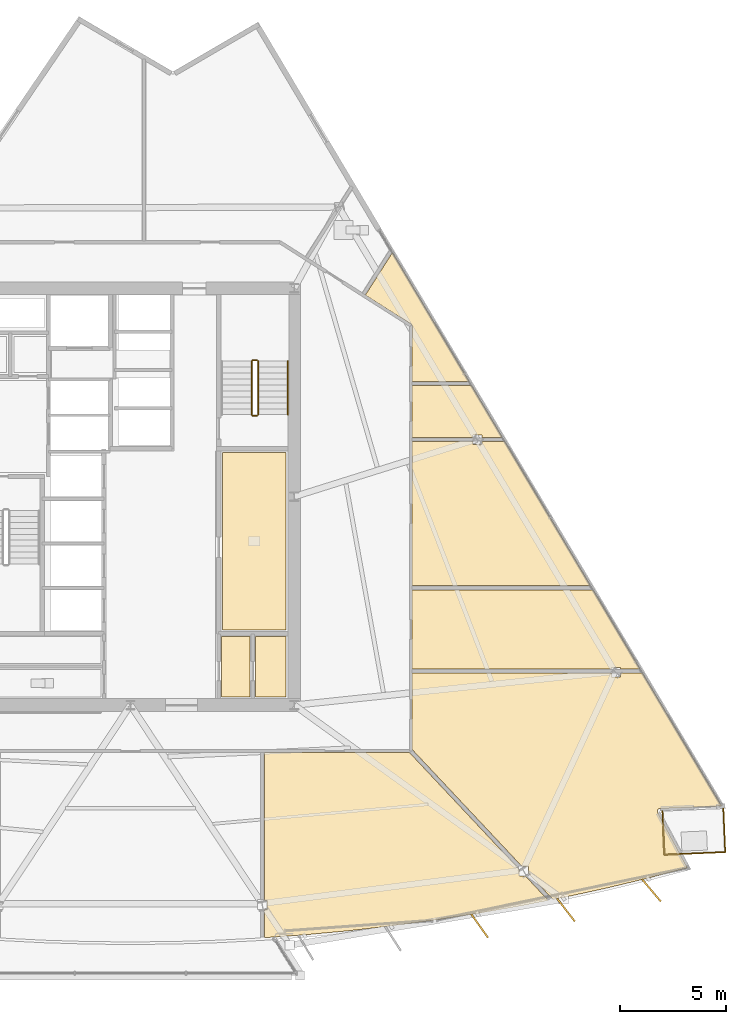
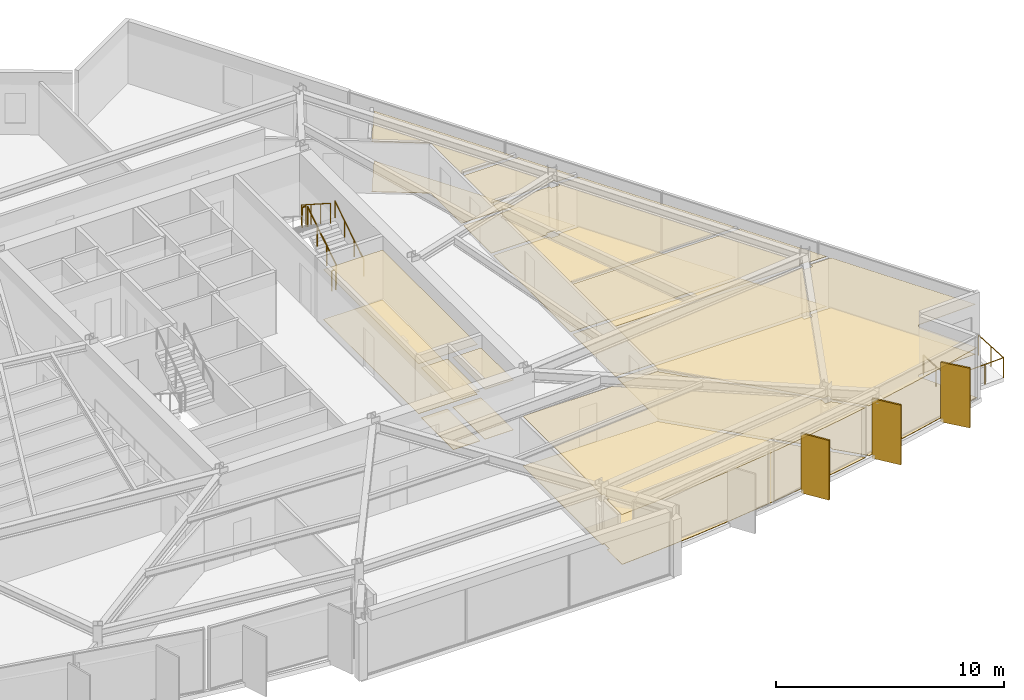
# One storey, part 13 of 15: 18 coverings, 8 railings, 3 shading devices.
"""IFC4 building model written with IfcOpenShell, lengths in metres."""

from ifc_helpers import new_model, si_unit, direction, frame, origin, origin_2d, place, context, subcontext, project, spatial, polyline, rectangle, circle, outline, extrude, material, layer, layer_set, type_object, element, save


model = new_model("IFC4")

# Units and contexts
model_context = context("Model", 3, precision=1e-05, world=origin(), true_north=direction((0.0, 1.0)))
body_context = subcontext(model_context, "Body", "Model", "MODEL_VIEW")
ifc_project = project(units=[si_unit("LENGTHUNIT", "METRE"), si_unit("AREAUNIT", "SQUARE_METRE"), si_unit("VOLUMEUNIT", "CUBIC_METRE"), si_unit("PLANEANGLEUNIT", "RADIAN"), si_unit("MASSUNIT", "GRAM", prefix="KILO")], contexts=[model_context])

# Site, building, storey
site_placement = place(None, origin())
site = spatial("IfcSite", under=ifc_project, at=site_placement, CompositionType="ELEMENT")
building_placement = place(site_placement, origin())
building = spatial("IfcBuilding", under=site, at=building_placement, Name="Savorim Split Tower", CompositionType="ELEMENT")
storey_placement = place(building_placement, frame((0.0, 0.0, 118.5)))
storey = spatial("IfcBuildingStorey", under=building, at=storey_placement, Name="L31", CompositionType="ELEMENT", Elevation=118.5)

# Coverings
ifc_material_1 = material(Name="Mineral Fibre Acoustic Ceiling")
ifc_layer_1 = layer(ifc_material_1, 0.02490234375)
ifc_layer_set_1 = layer_set([ifc_layer_1], Name="COV-CEIL-25")
covering_type_1 = type_object("IfcCoveringType", Name="COV-CEIL-25", PredefinedType="CEILING", material=ifc_layer_set_1)
covering_1_placement = place(storey_placement, frame((0.0, 0.0, 2.669921875)))
element("IfcCovering", 1, at=covering_1_placement, inside=storey, type_object=covering_type_1, Name="L31 Community Laundry Room Acoustic Ceiling", PredefinedType="CEILING", context=body_context, shape_type="SweptSolid", body=[
    extrude(outline(polyline([(4.330078125, 2.469970703125), (4.330078125, -5.8701171875), (7.320068359375, -5.8701171875), (7.320068359375, 2.469970703125), (4.330078125, 2.469970703125)])), origin(), (0.0, 0.0, 1.0), 0.025146484375),
])
covering_2_placement = place(storey_placement, frame((0.0, 0.0, 2.669921875)))
element("IfcCovering", 2, at=covering_2_placement, inside=storey, type_object=covering_type_1, Name="L31 Vending Pantry Acoustic Ceiling", PredefinedType="CEILING", context=body_context, shape_type="SweptSolid", body=[
    extrude(outline(polyline([(4.280029296875, -6.179931640625), (4.280029296875, -9.02001953125), (5.6201171875, -9.02001953125), (5.6201171875, -6.179931640625), (4.280029296875, -6.179931640625)])), origin(), (0.0, 0.0, 1.0), 0.025146484375),
])
covering_3_placement = place(storey_placement, frame((0.0, 0.0, 2.669921875)))
element("IfcCovering", 3, at=covering_3_placement, inside=storey, type_object=covering_type_1, Name="L31 Recycling Chute Room Acoustic Ceiling", PredefinedType="CEILING", context=body_context, shape_type="SweptSolid", body=[
    extrude(outline(polyline([(5.8798828125, -6.179931640625), (5.8798828125, -9.02001953125), (7.320068359375, -9.02001953125), (7.320068359375, -6.179931640625), (5.8798828125, -6.179931640625)])), origin(), (0.0, 0.0, 1.0), 0.025146484375),
])
covering_4_placement = place(storey_placement, frame((0.0, 0.0, 2.669921875)))
element("IfcCovering", 4, at=covering_4_placement, inside=storey, type_object=covering_type_1, Name="L31 Maker Workshop Acoustic Ceiling", PredefinedType="CEILING", context=body_context, shape_type="SweptSolid", body=[
    extrude(outline(polyline([(12.262939453125, -19.77734375), (14.2939453125, -19.505615234375), (16.318603515625, -19.1923828125), (18.336669921875, -18.837890625), (19.643310546875, -18.58056640625), (18.564453125, -17.431396484375), (18.277099609375, -17.431396484375), (18.277099609375, -17.12548828125), (13.12939453125, -11.643798828125), (13.10693359375, -11.61962890625), (13.10009765625, -11.6201171875), (6.2919921875, -11.6201171875), (6.2919921875, -18.57373046875), (6.409912109375, -18.57373046875), (6.409912109375, -19.009765625), (6.2919921875, -19.009765625), (6.2919921875, -20.28857421875), (6.2919921875, -20.331787109375), (8.186767578125, -20.196044921875), (10.22705078125, -20.007568359375), (12.262939453125, -19.77734375)])), origin(), (0.0, 0.0, 1.0), 0.025146484375),
])
covering_5_placement = place(storey_placement, frame((0.0, 0.0, 2.669921875)))
element("IfcCovering", 5, at=covering_5_placement, inside=storey, type_object=covering_type_1, Name="L31 Maker Workshop Acoustic Ceiling", PredefinedType="CEILING", context=body_context, shape_type="SweptSolid", body=[
    extrude(outline(polyline([(24.857421875, -14.2685546875), (24.86865234375, -14.2666015625), (24.880126953125, -14.265380859375), (27.78271484375, -14.141845703125), (24.070556640625, -7.899169921875), (23.029052734375, -7.899169921875), (23.029052734375, -8.077880859375), (22.60302734375, -8.077880859375), (22.60302734375, -7.899169921875), (13.239990234375, -7.899169921875), (13.239990234375, -11.47998046875), (13.23974609375, -11.483642578125), (18.41552734375, -16.99560546875), (18.702880859375, -16.99560546875), (18.702880859375, -17.301513671875), (19.7822265625, -18.450927734375), (19.847412109375, -18.52001953125), (19.81982421875, -18.5458984375), (20.34716796875, -18.44189453125), (22.348876953125, -18.005126953125), (24.34130859375, -17.52734375), (26.177490234375, -17.04736328125), (24.779541015625, -14.44189453125), (24.7744140625, -14.431640625), (24.7705078125, -14.4208984375), (24.767578125, -14.40966796875), (24.765869140625, -14.398193359375), (24.76513671875, -14.38671875), (24.765625, -14.375), (24.76708984375, -14.36376953125), (24.769775390625, -14.352294921875), (24.7734375, -14.341552734375), (24.7783203125, -14.3310546875), (24.783935546875, -14.32080078125), (24.79052734375, -14.3115234375), (24.798095703125, -14.302734375), (24.806396484375, -14.294921875), (24.8154296875, -14.28759765625), (24.8251953125, -14.281494140625), (24.83544921875, -14.276123046875), (24.84619140625, -14.271728515625), (24.857421875, -14.2685546875)])), origin(), (0.0, 0.0, 1.0), 0.025146484375),
])
covering_6_placement = place(storey_placement, frame((0.0, 0.0, 2.669921875)))
element("IfcCovering", 6, at=covering_6_placement, inside=storey, type_object=covering_type_1, Name="L31 Co-Living Bedroom Acoustic Ceiling", PredefinedType="CEILING", context=body_context, shape_type="SweptSolid", body=[
    extrude(outline(polyline([(23.95751953125, -7.709228515625), (21.73876953125, -3.9775390625), (13.239990234375, -3.9775390625), (13.239990234375, -7.709228515625), (22.60302734375, -7.709228515625), (22.60302734375, -7.641845703125), (23.029052734375, -7.641845703125), (23.029052734375, -7.709228515625), (23.95751953125, -7.709228515625)])), origin(), (0.0, 0.0, 1.0), 0.025146484375),
])
covering_7_placement = place(storey_placement, frame((0.0, 0.0, 2.669921875)))
element("IfcCovering", 7, at=covering_7_placement, inside=storey, type_object=covering_type_1, Name="L31 Maker Workshop Acoustic Ceiling", PredefinedType="CEILING", context=body_context, shape_type="SweptSolid", body=[
    extrude(outline(polyline([(16.098876953125, 2.860595703125), (16.098876953125, 2.9833984375), (13.239990234375, 2.9833984375), (13.239990234375, -3.78759765625), (21.625732421875, -3.78759765625), (17.579833984375, 3.0166015625), (17.579833984375, 2.9833984375), (16.52490234375, 2.9833984375), (16.52490234375, 2.860595703125), (16.098876953125, 2.860595703125)])), origin(), (0.0, 0.0, 1.0), 0.025146484375),
])
covering_8_placement = place(storey_placement, frame((0.0, 0.0, 2.669921875)))
element("IfcCovering", 8, at=covering_8_placement, inside=storey, type_object=covering_type_1, Name="L31 Co-Working Commons Acoustic Ceiling", PredefinedType="CEILING", context=body_context, shape_type="SweptSolid", body=[
    extrude(outline(polyline([(16.52490234375, 3.29638671875), (16.52490234375, 3.173583984375), (17.48486328125, 3.173583984375), (17.486572265625, 3.173583984375), (16.033935546875, 5.616455078125), (13.239990234375, 5.616455078125), (13.239990234375, 3.173583984375), (16.098876953125, 3.173583984375), (16.098876953125, 3.29638671875), (16.52490234375, 3.29638671875)])), origin(), (0.0, 0.0, 1.0), 0.025146484375),
])
covering_9_placement = place(storey_placement, frame((0.0, 0.0, 2.669921875)))
element("IfcCovering", 9, at=covering_9_placement, inside=storey, type_object=covering_type_1, Name="L31 Co-Living Bedroom Acoustic Ceiling", PredefinedType="CEILING", context=body_context, shape_type="SweptSolid", body=[
    extrude(outline(polyline([(13.2373046875, 8.427978515625), (13.2392578125, 8.4140625), (13.239990234375, 8.39990234375), (13.239990234375, 5.806396484375), (15.9208984375, 5.806396484375), (12.31396484375, 11.87255859375), (11.04296875, 9.874267578125), (13.175048828125, 8.51806640625), (13.1865234375, 8.510009765625), (13.197265625, 8.500732421875), (13.206787109375, 8.490478515625), (13.21533203125, 8.479248046875), (13.22265625, 8.46728515625), (13.22900390625, 8.45458984375), (13.233642578125, 8.44140625), (13.2373046875, 8.427978515625)])), origin(), (0.0, 0.0, 1.0), 0.025146484375),
])
ifc_material_2 = material(Name="Porcelain Stoneware Flooring", Category="masonry")
ifc_layer_2 = layer(ifc_material_2, 0.02001953125)
ifc_layer_set_2 = layer_set([ifc_layer_2], Name="COV-FLOR-20")
covering_type_2 = type_object("IfcCoveringType", Name="COV-FLOR-20", PredefinedType="FLOORING", material=ifc_layer_set_2)
covering_10_placement = place(storey_placement, origin())
element("IfcCovering", 10, at=covering_10_placement, inside=storey, type_object=covering_type_2, Name="L31 Community Laundry Room Porcelain Flooring", PredefinedType="FLOORING", context=body_context, shape_type="SweptSolid", body=[
    extrude(outline(polyline([(4.330078125, 2.469970703125), (4.330078125, -5.8701171875), (7.320068359375, -5.8701171875), (7.320068359375, 2.469970703125), (4.330078125, 2.469970703125)])), origin(), (0.0, 0.0, 1.0), 0.02001953125),
])
covering_11_placement = place(storey_placement, origin())
element("IfcCovering", 11, at=covering_11_placement, inside=storey, type_object=covering_type_2, Name="L31 Vending Pantry Porcelain Flooring", PredefinedType="FLOORING", context=body_context, shape_type="SweptSolid", body=[
    extrude(outline(polyline([(4.280029296875, -6.179931640625), (4.280029296875, -9.02001953125), (5.6201171875, -9.02001953125), (5.6201171875, -6.179931640625), (4.280029296875, -6.179931640625)])), origin(), (0.0, 0.0, 1.0), 0.02001953125),
])
covering_12_placement = place(storey_placement, origin())
element("IfcCovering", 12, at=covering_12_placement, inside=storey, type_object=covering_type_2, Name="L31 Recycling Chute Room Porcelain Flooring", PredefinedType="FLOORING", context=body_context, shape_type="SweptSolid", body=[
    extrude(outline(polyline([(5.8798828125, -6.179931640625), (5.8798828125, -9.02001953125), (7.320068359375, -9.02001953125), (7.320068359375, -6.179931640625), (5.8798828125, -6.179931640625)])), origin(), (0.0, 0.0, 1.0), 0.02001953125),
])
covering_13_placement = place(storey_placement, origin())
element("IfcCovering", 13, at=covering_13_placement, inside=storey, type_object=covering_type_2, Name="L31 Maker Workshop Porcelain Flooring", PredefinedType="FLOORING", context=body_context, shape_type="SweptSolid", body=[
    extrude(outline(polyline([(12.262939453125, -19.77734375), (14.2939453125, -19.505615234375), (16.318603515625, -19.1923828125), (18.336669921875, -18.837890625), (19.643310546875, -18.58056640625), (18.564453125, -17.431396484375), (18.277099609375, -17.431396484375), (18.277099609375, -17.12548828125), (13.12939453125, -11.643798828125), (13.10693359375, -11.61962890625), (13.10009765625, -11.6201171875), (6.2919921875, -11.6201171875), (6.2919921875, -18.57373046875), (6.409912109375, -18.57373046875), (6.409912109375, -19.009765625), (6.2919921875, -19.009765625), (6.2919921875, -20.28857421875), (6.2919921875, -20.331787109375), (8.186767578125, -20.196044921875), (10.22705078125, -20.007568359375), (12.262939453125, -19.77734375)])), origin(), (0.0, 0.0, 1.0), 0.02001953125),
])
covering_14_placement = place(storey_placement, origin())
element("IfcCovering", 14, at=covering_14_placement, inside=storey, type_object=covering_type_2, Name="L31 Maker Workshop Porcelain Flooring", PredefinedType="FLOORING", context=body_context, shape_type="SweptSolid", body=[
    extrude(outline(polyline([(24.857421875, -14.2685546875), (24.86865234375, -14.2666015625), (24.880126953125, -14.265380859375), (27.78271484375, -14.141845703125), (24.070556640625, -7.899169921875), (23.029052734375, -7.899169921875), (23.029052734375, -8.077880859375), (22.60302734375, -8.077880859375), (22.60302734375, -7.899169921875), (13.239990234375, -7.899169921875), (13.239990234375, -11.47998046875), (13.23974609375, -11.483642578125), (18.41552734375, -16.99560546875), (18.702880859375, -16.99560546875), (18.702880859375, -17.301513671875), (19.7822265625, -18.450927734375), (19.847412109375, -18.52001953125), (19.81982421875, -18.5458984375), (20.34716796875, -18.44189453125), (22.348876953125, -18.005126953125), (24.34130859375, -17.52734375), (26.177490234375, -17.04736328125), (24.779541015625, -14.44189453125), (24.7744140625, -14.431640625), (24.7705078125, -14.4208984375), (24.767578125, -14.40966796875), (24.765869140625, -14.398193359375), (24.76513671875, -14.38671875), (24.765625, -14.375), (24.76708984375, -14.36376953125), (24.769775390625, -14.352294921875), (24.7734375, -14.341552734375), (24.7783203125, -14.3310546875), (24.783935546875, -14.32080078125), (24.79052734375, -14.3115234375), (24.798095703125, -14.302734375), (24.806396484375, -14.294921875), (24.8154296875, -14.28759765625), (24.8251953125, -14.281494140625), (24.83544921875, -14.276123046875), (24.84619140625, -14.271728515625), (24.857421875, -14.2685546875)])), origin(), (0.0, 0.0, 1.0), 0.02001953125),
])
covering_15_placement = place(storey_placement, origin())
element("IfcCovering", 15, at=covering_15_placement, inside=storey, type_object=covering_type_2, Name="L31 Co-Living Bedroom Porcelain Flooring", PredefinedType="FLOORING", context=body_context, shape_type="SweptSolid", body=[
    extrude(outline(polyline([(23.95751953125, -7.709228515625), (21.73876953125, -3.9775390625), (13.239990234375, -3.9775390625), (13.239990234375, -7.709228515625), (22.60302734375, -7.709228515625), (22.60302734375, -7.641845703125), (23.029052734375, -7.641845703125), (23.029052734375, -7.709228515625), (23.95751953125, -7.709228515625)])), origin(), (0.0, 0.0, 1.0), 0.02001953125),
])
covering_16_placement = place(storey_placement, origin())
element("IfcCovering", 16, at=covering_16_placement, inside=storey, type_object=covering_type_2, Name="L31 Maker Workshop Porcelain Flooring", PredefinedType="FLOORING", context=body_context, shape_type="SweptSolid", body=[
    extrude(outline(polyline([(16.098876953125, 2.860595703125), (16.098876953125, 2.9833984375), (13.239990234375, 2.9833984375), (13.239990234375, -3.78759765625), (21.625732421875, -3.78759765625), (17.579833984375, 3.0166015625), (17.579833984375, 2.9833984375), (16.52490234375, 2.9833984375), (16.52490234375, 2.860595703125), (16.098876953125, 2.860595703125)])), origin(), (0.0, 0.0, 1.0), 0.02001953125),
])
covering_17_placement = place(storey_placement, origin())
element("IfcCovering", 17, at=covering_17_placement, inside=storey, type_object=covering_type_2, Name="L31 Co-Working Commons Porcelain Flooring", PredefinedType="FLOORING", context=body_context, shape_type="SweptSolid", body=[
    extrude(outline(polyline([(16.52490234375, 3.29638671875), (16.52490234375, 3.173583984375), (17.48486328125, 3.173583984375), (17.486572265625, 3.173583984375), (16.033935546875, 5.616455078125), (13.239990234375, 5.616455078125), (13.239990234375, 3.173583984375), (16.098876953125, 3.173583984375), (16.098876953125, 3.29638671875), (16.52490234375, 3.29638671875)])), origin(), (0.0, 0.0, 1.0), 0.02001953125),
])
covering_18_placement = place(storey_placement, origin())
element("IfcCovering", 18, at=covering_18_placement, inside=storey, type_object=covering_type_2, Name="L31 Co-Living Bedroom Porcelain Flooring", PredefinedType="FLOORING", context=body_context, shape_type="SweptSolid", body=[
    extrude(outline(polyline([(13.2373046875, 8.427978515625), (13.2392578125, 8.4140625), (13.239990234375, 8.39990234375), (13.239990234375, 5.806396484375), (15.9208984375, 5.806396484375), (12.31396484375, 11.87255859375), (11.04296875, 9.874267578125), (13.175048828125, 8.51806640625), (13.1865234375, 8.510009765625), (13.197265625, 8.500732421875), (13.206787109375, 8.490478515625), (13.21533203125, 8.479248046875), (13.22265625, 8.46728515625), (13.22900390625, 8.45458984375), (13.233642578125, 8.44140625), (13.2373046875, 8.427978515625)])), origin(), (0.0, 0.0, 1.0), 0.02001953125),
])

# Railings
ifc_material_3 = material(Name="Galvanised Painted Steel Balustrade", Category="steel")
railing_type_1 = type_object("IfcRailingType", Name="RLG-BAL-1100", PredefinedType="BALUSTRADE", material=ifc_material_3)
railing_1_placement = place(storey_placement, frame((27.86865234375, -14.25830078125, 0.0)))
element("IfcRailing", 19, at=railing_1_placement, inside=storey, type_object=railing_type_1, Name="L31 Tree Balcony Guardrail SE-1", PredefinedType="BALUSTRADE", context=body_context, shape_type="SweptSolid", body=[
    extrude(circle(Radius=0.02392578125, at=origin_2d()), frame((0.0, 0.0, 1.076171875), z_axis=(0.042517246, -0.999095733047, 0.0), x_axis=(0.999095733047, 0.042517246, 0.0)), (0.0, 0.0, 1.0), 2.050048828125),
    extrude(circle(Radius=0.02099609375, at=origin_2d()), origin(), (0.0, 0.0, 1.0), 1.052001953125),
    extrude(circle(Radius=0.02099609375, at=origin_2d()), frame((0.04345703125, -1.02392578125, 0.0)), (0.0, 0.0, 1.0), 1.052001953125),
    extrude(circle(Radius=0.02099609375, at=origin_2d()), frame((0.087158203125, -2.048095703125, 0.0)), (0.0, 0.0, 1.0), 1.052001953125),
])
railing_2_placement = place(storey_placement, frame((27.955810546875, -16.306396484375, 0.0)))
element("IfcRailing", 20, at=railing_2_placement, inside=storey, type_object=railing_type_1, Name="L31 Tree Balcony Guardrail SE-2", PredefinedType="BALUSTRADE", context=body_context, shape_type="SweptSolid", body=[
    extrude(circle(Radius=0.02392578125, at=origin_2d()), frame((0.0, 0.0, 1.076171875), z_axis=(-0.999096225557, -0.042505671119, 0.0), x_axis=(0.042505671119, -0.999096225557, 0.0)), (0.0, 0.0, 1.0), 2.8662109375),
    extrude(circle(Radius=0.02099609375, at=origin_2d()), origin(), (0.0, 0.0, 1.0), 1.052001953125),
    extrude(circle(Radius=0.02099609375, at=origin_2d()), frame((-0.95458984375, -0.04052734375, 0.0)), (0.0, 0.0, 1.0), 1.052001953125),
    extrude(circle(Radius=0.02099609375, at=origin_2d()), frame((-1.908935546875, -0.081298828125, 0.0)), (0.0, 0.0, 1.0), 1.052001953125),
    extrude(circle(Radius=0.02099609375, at=origin_2d()), frame((-2.863525390625, -0.121826171875, 0.0)), (0.0, 0.0, 1.0), 1.052001953125),
])
railing_3_placement = place(storey_placement, frame((25.09228515625, -16.42822265625, 0.0)))
element("IfcRailing", 21, at=railing_3_placement, inside=storey, type_object=railing_type_1, Name="L31 Tree Balcony Guardrail SE-3", PredefinedType="BALUSTRADE", context=body_context, shape_type="SweptSolid", body=[
    extrude(circle(Radius=0.02392578125, at=origin_2d()), frame((0.0, 0.0, 1.076171875), z_axis=(-0.042517246, 0.999095733047, 0.0), x_axis=(-0.999095733047, -0.042517246, 0.0)), (0.0, 0.0, 1.0), 2.050048828125),
    extrude(circle(Radius=0.02099609375, at=origin_2d()), origin(), (0.0, 0.0, 1.0), 1.052001953125),
    extrude(circle(Radius=0.02099609375, at=origin_2d()), frame((-0.04345703125, 1.02392578125, 0.0)), (0.0, 0.0, 1.0), 1.052001953125),
    extrude(circle(Radius=0.02099609375, at=origin_2d()), frame((-0.087158203125, 2.048095703125, 0.0)), (0.0, 0.0, 1.0), 1.052001953125),
])
railing_type_2 = type_object("IfcRailingType", Name="RLG-HR-900", PredefinedType="HANDRAIL", material=ifc_material_3)
railing_4_placement = place(storey_placement, frame((7.39990234375, 4.25, 0.179931640625)))
element("IfcRailing", 22, at=railing_4_placement, inside=storey, type_object=railing_type_2, Name="L31 ST-2 stair handrail 1", PredefinedType="HANDRAIL", context=body_context, shape_type="SweptSolid", body=[
    extrude(circle(Radius=0.02392578125, at=origin_2d()), frame((0.0, 0.0, 0.8759765625), z_axis=(0.0, 0.841162588446, 0.540782303519), x_axis=(-1.0, 0.0, 0.0)), (0.0, 0.0, 1.0), 2.995849609375),
    extrude(circle(Radius=0.02099609375, at=origin_2d()), origin(), (0.0, 0.0, 1.0), 0.851806640625),
    extrude(circle(Radius=0.02099609375, at=origin_2d()), frame((0.0, 0.840087890625, 0.5400390625)), (0.0, 0.0, 1.0), 0.851806640625),
    extrude(circle(Radius=0.02099609375, at=origin_2d()), frame((0.0, 1.679931640625, 1.080078125)), (0.0, 0.0, 1.0), 0.851806640625),
    extrude(circle(Radius=0.02099609375, at=origin_2d()), frame((0.0, 2.52001953125, 1.6201171875)), (0.0, 0.0, 1.0), 0.851806640625),
])
railing_type_3 = type_object("IfcRailingType", Name="RLG-STG-1100", PredefinedType="BALUSTRADE", material=ifc_material_3)
railing_5_placement = place(storey_placement, frame((6.0, 4.25, 0.179931640625)))
element("IfcRailing", 23, at=railing_5_placement, inside=storey, type_object=railing_type_3, Name="L31 ST-2 stair guard 1", PredefinedType="BALUSTRADE", context=body_context, shape_type="SweptSolid", body=[
    extrude(circle(Radius=0.02392578125, at=origin_2d()), frame((0.0, 0.0, 1.076171875), z_axis=(0.0, 0.841162588446, 0.540782303519), x_axis=(-1.0, 0.0, 0.0)), (0.0, 0.0, 1.0), 2.995849609375),
    extrude(circle(Radius=0.02099609375, at=origin_2d()), origin(), (0.0, 0.0, 1.0), 1.052001953125),
    extrude(circle(Radius=0.02099609375, at=origin_2d()), frame((0.0, 0.840087890625, 0.5400390625)), (0.0, 0.0, 1.0), 1.052001953125),
    extrude(circle(Radius=0.02099609375, at=origin_2d()), frame((0.0, 1.679931640625, 1.080078125)), (0.0, 0.0, 1.0), 1.052001953125),
    extrude(circle(Radius=0.02099609375, at=origin_2d()), frame((0.0, 2.52001953125, 1.6201171875)), (0.0, 0.0, 1.0), 1.052001953125),
])
railing_6_placement = place(storey_placement, frame((5.949951171875, 6.820068359375, 1.800048828125)))
element("IfcRailing", 24, at=railing_6_placement, inside=storey, type_object=railing_type_3, Name="L31 ST-2 stair guard 2", PredefinedType="BALUSTRADE", context=body_context, shape_type="SweptSolid", body=[
    extrude(circle(Radius=0.02392578125, at=origin_2d()), frame((0.0, 0.0, 1.076171875), z_axis=(-1.0, 0.0, 0.0), x_axis=(0.0, -1.0, 0.0)), (0.0, 0.0, 1.0), 0.199951171875),
    extrude(circle(Radius=0.02099609375, at=origin_2d()), origin(), (0.0, 0.0, 1.0), 1.052001953125),
    extrude(circle(Radius=0.02099609375, at=origin_2d()), frame((-0.199951171875, 0.0, 0.0)), (0.0, 0.0, 1.0), 1.052001953125),
])
railing_7_placement = place(storey_placement, frame((5.699951171875, 6.77001953125, 1.97998046875)))
element("IfcRailing", 25, at=railing_7_placement, inside=storey, type_object=railing_type_3, Name="L31 ST-2 stair guard 3", PredefinedType="BALUSTRADE", context=body_context, shape_type="SweptSolid", body=[
    extrude(circle(Radius=0.02392578125, at=origin_2d()), frame((0.0, 0.0, 1.076171875), z_axis=(0.0, -0.841162588446, 0.540782303519), x_axis=(1.0, 0.0, 0.0)), (0.0, 0.0, 1.0), 2.995849609375),
    extrude(circle(Radius=0.02099609375, at=origin_2d()), origin(), (0.0, 0.0, 1.0), 1.052001953125),
    extrude(circle(Radius=0.02099609375, at=origin_2d()), frame((0.0, -0.840087890625, 0.5400390625)), (0.0, 0.0, 1.0), 1.052001953125),
    extrude(circle(Radius=0.02099609375, at=origin_2d()), frame((0.0, -1.679931640625, 1.080078125)), (0.0, 0.0, 1.0), 1.052001953125),
    extrude(circle(Radius=0.02099609375, at=origin_2d()), frame((0.0, -2.52001953125, 1.6201171875)), (0.0, 0.0, 1.0), 1.052001953125),
])
railing_8_placement = place(storey_placement, frame((5.949951171875, 4.199951171875, 0.0)))
element("IfcRailing", 26, at=railing_8_placement, inside=storey, type_object=railing_type_3, Name="L31 ST-2 stair guard 4", PredefinedType="BALUSTRADE", context=body_context, shape_type="SweptSolid", body=[
    extrude(circle(Radius=0.02392578125, at=origin_2d()), frame((0.0, 0.0, 1.076171875), z_axis=(-1.0, 0.0, 0.0), x_axis=(0.0, -1.0, 0.0)), (0.0, 0.0, 1.0), 0.199951171875),
    extrude(circle(Radius=0.02099609375, at=origin_2d()), origin(), (0.0, 0.0, 1.0), 1.052001953125),
    extrude(circle(Radius=0.02099609375, at=origin_2d()), frame((-0.199951171875, 0.0, 0.0)), (0.0, 0.0, 1.0), 1.052001953125),
])

# Shading devices
ifc_material_4 = material(Name="Terracotta Ceramic-Coated Aluminium Fin", Category="masonry")
shading_device_type = type_object("IfcShadingDeviceType", Name="SHD-FIN-1360", PredefinedType="USERDEFINED", material=ifc_material_4)
for number, where, z_axis, x_axis, name in (
    (27, (16.415771484375, -19.780517578125, -0.2001953125), (0.0, 0.0, 1.0), (0.578993757737, -0.815331974414, 0.0), "L31 Sawtooth Shading Fin 11"),
    (28, (20.46826171875, -19.025634765625, -0.2001953125), (0.0, 0.0, 1.0), (0.611868076908, -0.790959832394, 0.0), "L31 Sawtooth Shading Fin 12"),
    (29, (24.486328125, -18.105712890625, -0.2001953125), (0.0, 0.0, 1.0), (0.643719022682, -0.765261928909, 0.0), "L31 Sawtooth Shading Fin 13"),
):
    element("IfcShadingDevice", number, at=place(storey_placement, frame(where, z_axis=z_axis, x_axis=x_axis)), inside=storey, type_object=shading_device_type, Name=name, ObjectType="FIN", PredefinedType="USERDEFINED", context=body_context, shape_type="SweptSolid", body=[
        extrude(rectangle(XDim=1.360107421875, YDim=0.080078125, at=origin_2d()), origin(), (0.0, 0.0, 1.0), 3.199951171875),
    ])

save(model, "model.ifc")
